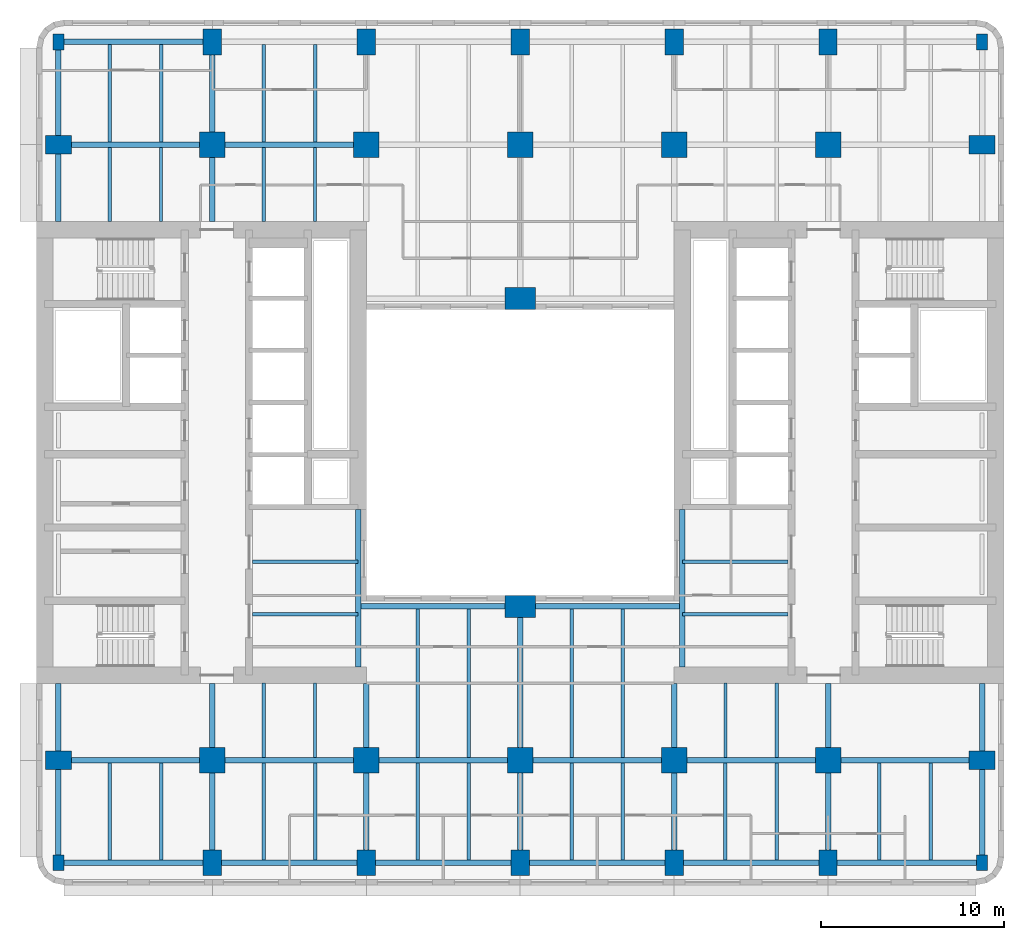
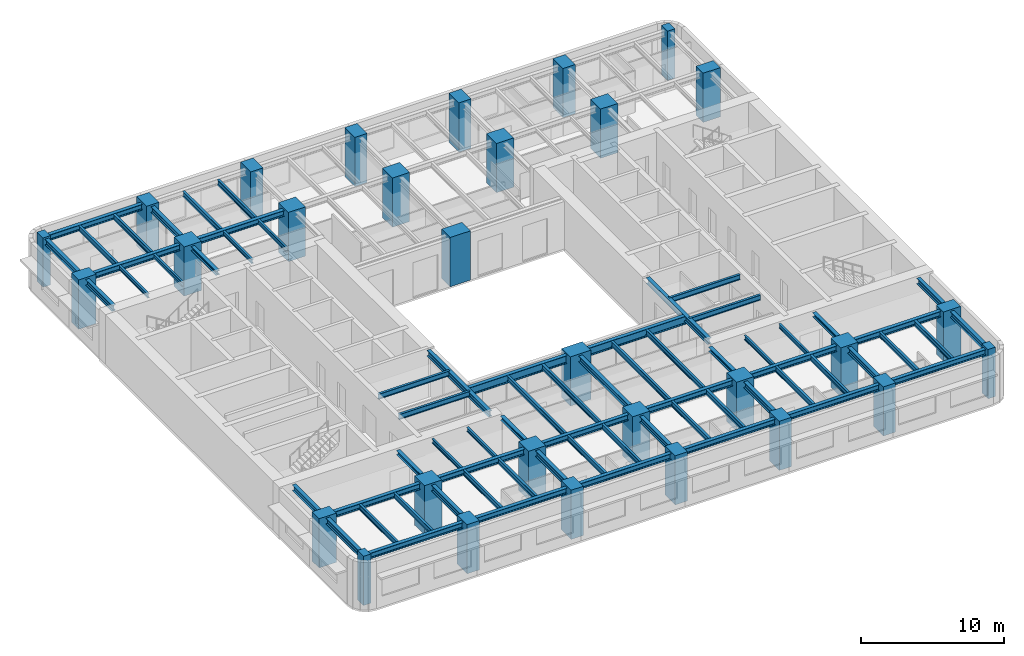
# One storey, part 1 of 11: 69 beams, 30 columns.
"""IFC4 building model written with IfcOpenShell, lengths in metres."""

from ifc_helpers import new_model, si_unit, direction, frame, origin, origin_2d, place, context, subcontext, project, spatial, rectangle, i_section, extrude, material, material_profile, profile_set, type_object, element, save


model = new_model("IFC4")

# Units and contexts
model_context = context("Model", 3, precision=1e-05, world=origin(), true_north=direction((0.0, 1.0)))
body_context = subcontext(model_context, "Body", "Model", "MODEL_VIEW")
ifc_project = project(units=[si_unit("LENGTHUNIT", "METRE"), si_unit("AREAUNIT", "SQUARE_METRE"), si_unit("VOLUMEUNIT", "CUBIC_METRE"), si_unit("PLANEANGLEUNIT", "RADIAN"), si_unit("MASSUNIT", "GRAM", prefix="KILO")], contexts=[model_context])

# Site, building, storey
site_placement = place(None, origin())
site = spatial("IfcSite", under=ifc_project, at=site_placement, CompositionType="ELEMENT")
building_placement = place(site_placement, origin())
building = spatial("IfcBuilding", under=site, at=building_placement, Name="Claustro Exchange Tower", CompositionType="ELEMENT")
storey_placement = place(building_placement, frame((0.0, 0.0, 138.60009765625)))
storey = spatial("IfcBuildingStorey", under=building, at=storey_placement, Name="L31", CompositionType="ELEMENT", Elevation=138.60009765625)

# Columns
ifc_material_1 = material(Name="Concrete HA-70 (C70/85)", Category="concrete")
ifc_material_profile_1 = material_profile(ifc_material_1, rectangle(XDim=1.39990234375, YDim=1.39990234375, at=origin_2d()), Name="RC 1400x1400")
ifc_profile_set_1 = profile_set([ifc_material_profile_1], Name="Concrete HA-70 (C70/85)")
column_type_1 = type_object("IfcColumnType", Name="C0 RC 1400x1400 HA-70 column", PredefinedType="COLUMN", material=ifc_profile_set_1)
for number, where, z_axis, x_axis, name in (
    (1, (8.39990234375, 8.39990234375, 0.0), (0.0, 0.0, 1.0), (1.0, 0.0, 0.0), "Column C0 2/B L31"),
    (2, (8.39990234375, 42.0, 0.0), (0.0, 0.0, 1.0), (1.0, 0.0, 0.0), "Column C0 2/F L31"),
    (3, (16.800048828125, 8.39990234375, 0.0), (0.0, 0.0, 1.0), (1.0, 0.0, 0.0), "Column C0 3/B L31"),
    (4, (16.800048828125, 42.0, 0.0), (0.0, 0.0, 1.0), (1.0, 0.0, 0.0), "Column C0 3/F L31"),
    (5, (25.199951171875, 8.39990234375, 0.0), (0.0, 0.0, 1.0), (1.0, 0.0, 0.0), "Column C0 4/B L31"),
    (6, (25.199951171875, 42.0, 0.0), (0.0, 0.0, 1.0), (1.0, 0.0, 0.0), "Column C0 4/F L31"),
    (7, (33.60009765625, 8.39990234375, 0.0), (0.0, 0.0, 1.0), (1.0, 0.0, 0.0), "Column C0 5/B L31"),
    (8, (33.60009765625, 42.0, 0.0), (0.0, 0.0, 1.0), (1.0, 0.0, 0.0), "Column C0 5/F L31"),
    (9, (42.0, 8.39990234375, 0.0), (0.0, 0.0, 1.0), (1.0, 0.0, 0.0), "Column C0 6/B L31"),
    (10, (42.0, 42.0, 0.0), (0.0, 0.0, 1.0), (1.0, 0.0, 0.0), "Column C0 6/F L31"),
):
    element("IfcColumn", number, at=place(storey_placement, frame(where, z_axis=z_axis, x_axis=x_axis)), inside=storey, type_object=column_type_1, Name=name, PredefinedType="COLUMN", context=body_context, shape_type="SweptSolid", body=[
        extrude(rectangle(XDim=1.39990234375, YDim=1.39990234375, at=origin_2d()), origin(), (0.0, 0.0, 1.0), 4.199951171875),
    ])
ifc_material_2 = material(Name="Concrete HA-70 (C70/85)", Category="concrete")
ifc_material_profile_2 = material_profile(ifc_material_2, rectangle(XDim=1.0, YDim=1.39990234375, at=origin_2d()), Name="RC 1000x1400")
ifc_profile_set_2 = profile_set([ifc_material_profile_2], Name="Concrete HA-70 (C70/85)")
column_type_2 = type_object("IfcColumnType", Name="C22 RC 1000x1400 HA-70 perimeter column", PredefinedType="COLUMN", material=ifc_profile_set_2)
for number, where, z_axis, x_axis, name in (
    (11, (0.0, 8.39990234375, 0.0), (0.0, 0.0, 1.0), (0.0, 1.0, 0.0), "Column C22 1/B L31"),
    (12, (0.0, 42.0, 0.0), (0.0, 0.0, 1.0), (0.0, 1.0, 0.0), "Column C22 1/F L31"),
    (13, (8.39990234375, 2.800048828125, 0.0), (0.0, 0.0, 1.0), (1.0, 0.0, 0.0), "Column C22 2/A+2800 L31"),
    (14, (8.39990234375, 47.60009765625, 0.0), (0.0, 0.0, 1.0), (1.0, 0.0, 0.0), "Column C22 2/F+5600 L31"),
    (15, (16.800048828125, 2.800048828125, 0.0), (0.0, 0.0, 1.0), (1.0, 0.0, 0.0), "Column C22 3/A+2800 L31"),
    (16, (16.800048828125, 47.60009765625, 0.0), (0.0, 0.0, 1.0), (1.0, 0.0, 0.0), "Column C22 3/F+5600 L31"),
    (17, (25.199951171875, 2.800048828125, 0.0), (0.0, 0.0, 1.0), (1.0, 0.0, 0.0), "Column C22 4/A+2800 L31"),
    (18, (25.199951171875, 47.60009765625, 0.0), (0.0, 0.0, 1.0), (1.0, 0.0, 0.0), "Column C22 4/F+5600 L31"),
    (19, (33.60009765625, 2.800048828125, 0.0), (0.0, 0.0, 1.0), (1.0, 0.0, 0.0), "Column C22 5/A+2800 L31"),
    (20, (33.60009765625, 47.60009765625, 0.0), (0.0, 0.0, 1.0), (1.0, 0.0, 0.0), "Column C22 5/F+5600 L31"),
    (21, (42.0, 2.800048828125, 0.0), (0.0, 0.0, 1.0), (1.0, 0.0, 0.0), "Column C22 6/A+2800 L31"),
    (22, (42.0, 47.60009765625, 0.0), (0.0, 0.0, 1.0), (1.0, 0.0, 0.0), "Column C22 6/F+5600 L31"),
    (23, (50.39990234375, 8.39990234375, 0.0), (0.0, 0.0, 1.0), (0.0, 1.0, 0.0), "Column C22 7/B L31"),
    (24, (50.39990234375, 42.0, 0.0), (0.0, 0.0, 1.0), (0.0, 1.0, 0.0), "Column C22 7/F L31"),
):
    element("IfcColumn", number, at=place(storey_placement, frame(where, z_axis=z_axis, x_axis=x_axis)), inside=storey, type_object=column_type_2, Name=name, PredefinedType="COLUMN", context=body_context, shape_type="SweptSolid", body=[
        extrude(rectangle(XDim=1.0, YDim=1.39990234375, at=origin_2d()), origin(), (0.0, 0.0, 1.0), 4.199951171875),
    ])
ifc_material_3 = material(Name="Concrete HA-50 (C50/60)", Category="concrete")
ifc_material_profile_3 = material_profile(ifc_material_3, rectangle(XDim=0.60009765625, YDim=0.85009765625, at=origin_2d()), Name="RC 600x850")
ifc_profile_set_3 = profile_set([ifc_material_profile_3], Name="Concrete HA-50 (C50/60)")
column_type_3 = type_object("IfcColumnType", Name="C25 RC 600x850 HA-50 corner column", PredefinedType="COLUMN", material=ifc_profile_set_3)
for number, where, z_axis, x_axis, name in (
    (25, (0.0, 2.800048828125, 0.0), (0.0, 0.0, 1.0), (1.0, 0.0, 0.0), "Column C25 1/A+2800 L31"),
    (26, (0.0, 47.60009765625, 0.0), (0.0, 0.0, 1.0), (1.0, 0.0, 0.0), "Column C25 1/F+5600 L31"),
    (27, (50.39990234375, 2.800048828125, 0.0), (0.0, 0.0, 1.0), (1.0, 0.0, 0.0), "Column C25 7/A+2800 L31"),
    (28, (50.39990234375, 47.60009765625, 0.0), (0.0, 0.0, 1.0), (1.0, 0.0, 0.0), "Column C25 7/F+5600 L31"),
):
    element("IfcColumn", number, at=place(storey_placement, frame(where, z_axis=z_axis, x_axis=x_axis)), inside=storey, type_object=column_type_3, Name=name, PredefinedType="COLUMN", context=body_context, shape_type="SweptSolid", body=[
        extrude(rectangle(XDim=0.60009765625, YDim=0.85009765625, at=origin_2d()), origin(), (0.0, 0.0, 1.0), 4.199951171875),
    ])
ifc_material_4 = material(Name="Concrete HA-70 (C70/85)", Category="concrete")
ifc_material_profile_4 = material_profile(ifc_material_4, rectangle(XDim=1.64990234375, YDim=1.199951171875, at=origin_2d()), Name="RC 1650x1200")
ifc_profile_set_4 = profile_set([ifc_material_profile_4], Name="Concrete HA-70 (C70/85)")
column_type_4 = type_object("IfcColumnType", Name="C32 RC 1650x1200 HA-70 light well column", PredefinedType="COLUMN", material=ifc_profile_set_4)
for number, where, z_axis, x_axis, name in (
    (29, (25.199951171875, 16.800048828125, 0.0), (0.0, 0.0, 1.0), (1.0, 0.0, 0.0), "Column C32 4/C L31"),
    (30, (25.199951171875, 33.60009765625, 0.0), (0.0, 0.0, 1.0), (1.0, 0.0, 0.0), "Column C32 4/E L31"),
):
    element("IfcColumn", number, at=place(storey_placement, frame(where, z_axis=z_axis, x_axis=x_axis)), inside=storey, type_object=column_type_4, Name=name, PredefinedType="COLUMN", context=body_context, shape_type="SweptSolid", body=[
        extrude(rectangle(XDim=1.64990234375, YDim=1.199951171875, at=origin_2d()), origin(), (0.0, 0.0, 1.0), 4.199951171875),
    ])

# Beams
ifc_material_5 = material(Name="Steel S355", Category="steel")
ifc_material_profile_5 = material_profile(ifc_material_5, i_section(OverallWidth=0.300048828125, OverallDepth=0.68994140625, WebThickness=0.014404296875, FlangeThickness=0.027099609375, FilletRadius=0.027099609375, at=origin_2d()), Name="HE 700 A")
ifc_profile_set_5 = profile_set([ifc_material_profile_5], Name="Steel S355")
beam_type_1 = type_object("IfcBeamType", Name="B13 HE 700 A light well edge girder", PredefinedType="BEAM", material=ifc_profile_set_5)
beam_1_placement = place(storey_placement, frame((16.35009765625, 16.800048828125, 3.704833984375), z_axis=(1.0, 0.0, 0.0), x_axis=(0.0, 1.0, 0.0)))
element("IfcBeam", 31, at=beam_1_placement, inside=storey, type_object=beam_type_1, Name="Beam B13 L32", PredefinedType="BEAM", context=body_context, shape_type="SweptSolid", body=[
    extrude(i_section(OverallWidth=0.300048828125, OverallDepth=0.68994140625, WebThickness=0.014404296875, FlangeThickness=0.027099609375, FilletRadius=0.027099609375, at=origin_2d()), origin(), (0.0, 0.0, 1.0), 8.849853515625),
])
beam_2_placement = place(storey_placement, frame((25.199951171875, 16.800048828125, 3.704833984375), z_axis=(1.0, 0.0, 0.0), x_axis=(0.0, 1.0, 0.0)))
element("IfcBeam", 32, at=beam_2_placement, inside=storey, type_object=beam_type_1, Name="Beam B13 L32", PredefinedType="BEAM", context=body_context, shape_type="SweptSolid", body=[
    extrude(i_section(OverallWidth=0.300048828125, OverallDepth=0.68994140625, WebThickness=0.014404296875, FlangeThickness=0.027099609375, FilletRadius=0.027099609375, at=origin_2d()), origin(), (0.0, 0.0, 1.0), 8.85009765625),
])
ifc_material_6 = material(Name="Steel S355", Category="steel")
ifc_material_profile_6 = material_profile(ifc_material_6, i_section(OverallWidth=0.169921875, OverallDepth=0.360107421875, WebThickness=0.008056640625, FlangeThickness=0.0126953125, FilletRadius=0.01806640625, at=origin_2d()), Name="IPE 360")
ifc_profile_set_6 = profile_set([ifc_material_profile_6], Name="Steel S355")
beam_type_2 = type_object("IfcBeamType", Name="B16 IPE 360 short-span beam", PredefinedType="BEAM", material=ifc_profile_set_6)
for number, where, z_axis, x_axis, name in (
    (33, (2.800048828125, 37.7900390625, 3.869873046875), (0.0, 1.0, 0.0), (-1.0, 0.0, 0.0), "Beam B16 L32"),
    (34, (5.60009765625, 37.7900390625, 3.869873046875), (0.0, 1.0, 0.0), (-1.0, 0.0, 0.0), "Beam B16 L32"),
    (35, (11.199951171875, 8.550048828125, 3.869873046875), (0.0, 1.0, 0.0), (-1.0, 0.0, 0.0), "Beam B16 L32"),
    (36, (14.0, 8.550048828125, 3.869873046875), (0.0, 1.0, 0.0), (-1.0, 0.0, 0.0), "Beam B16 L32"),
    (37, (11.199951171875, 37.7900390625, 3.869873046875), (0.0, 1.0, 0.0), (-1.0, 0.0, 0.0), "Beam B16 L32"),
    (38, (14.0, 37.7900390625, 3.869873046875), (0.0, 1.0, 0.0), (-1.0, 0.0, 0.0), "Beam B16 L32"),
    (39, (36.39990234375, 8.550048828125, 3.869873046875), (0.0, 1.0, 0.0), (-1.0, 0.0, 0.0), "Beam B16 L32"),
    (40, (39.199951171875, 8.550048828125, 3.869873046875), (0.0, 1.0, 0.0), (-1.0, 0.0, 0.0), "Beam B16 L32"),
):
    element("IfcBeam", number, at=place(storey_placement, frame(where, z_axis=z_axis, x_axis=x_axis)), inside=storey, type_object=beam_type_2, Name=name, PredefinedType="BEAM", context=body_context, shape_type="SweptSolid", body=[
        extrude(i_section(OverallWidth=0.169921875, OverallDepth=0.360107421875, WebThickness=0.008056640625, FlangeThickness=0.0126953125, FilletRadius=0.01806640625, at=origin_2d()), origin(), (0.0, 0.0, 1.0), 4.06005859375),
    ])
ifc_material_7 = material(Name="Steel S355", Category="steel")
ifc_material_profile_7 = material_profile(ifc_material_7, i_section(OverallWidth=0.300048828125, OverallDepth=0.360107421875, WebThickness=0.012451171875, FlangeThickness=0.0224609375, FilletRadius=0.027099609375, at=origin_2d()), Name="HE 360 B")
ifc_profile_set_7 = profile_set([ifc_material_profile_7], Name="Steel S355")
beam_type_3 = type_object("IfcBeamType", Name="B29 HE 360 B column to core link beam", PredefinedType="BEAM", material=ifc_profile_set_7)
beam_3_placement = place(storey_placement, frame((8.39990234375, 8.39990234375, 3.869873046875), z_axis=(0.0, 1.0, 0.0), x_axis=(-1.0, 0.0, 0.0)))
element("IfcBeam", 41, at=beam_3_placement, inside=storey, type_object=beam_type_3, Name="Beam B29 L32", PredefinedType="BEAM", context=body_context, shape_type="SweptSolid", body=[
    extrude(i_section(OverallWidth=0.300048828125, OverallDepth=0.360107421875, WebThickness=0.012451171875, FlangeThickness=0.0224609375, FilletRadius=0.027099609375, at=origin_2d()), origin(), (0.0, 0.0, 1.0), 4.2001953125),
])
beam_4_placement = place(storey_placement, frame((8.39990234375, 37.800048828125, 3.869873046875), z_axis=(0.0, 1.0, 0.0), x_axis=(-1.0, 0.0, 0.0)))
element("IfcBeam", 42, at=beam_4_placement, inside=storey, type_object=beam_type_3, Name="Beam B29 L32", PredefinedType="BEAM", context=body_context, shape_type="SweptSolid", body=[
    extrude(i_section(OverallWidth=0.300048828125, OverallDepth=0.360107421875, WebThickness=0.012451171875, FlangeThickness=0.0224609375, FilletRadius=0.027099609375, at=origin_2d()), origin(), (0.0, 0.0, 1.0), 4.199951171875),
])
for number, where, z_axis, x_axis, name in (
    (43, (16.800048828125, 8.39990234375, 3.869873046875), (0.0, 1.0, 0.0), (-1.0, 0.0, 0.0), "Beam B29 L32"),
    (44, (33.60009765625, 8.39990234375, 3.869873046875), (0.0, 1.0, 0.0), (-1.0, 0.0, 0.0), "Beam B29 L32"),
    (45, (42.0, 8.39990234375, 3.869873046875), (0.0, 1.0, 0.0), (-1.0, 0.0, 0.0), "Beam B29 L32"),
):
    element("IfcBeam", number, at=place(storey_placement, frame(where, z_axis=z_axis, x_axis=x_axis)), inside=storey, type_object=beam_type_3, Name=name, PredefinedType="BEAM", context=body_context, shape_type="SweptSolid", body=[
        extrude(i_section(OverallWidth=0.300048828125, OverallDepth=0.360107421875, WebThickness=0.012451171875, FlangeThickness=0.0224609375, FilletRadius=0.027099609375, at=origin_2d()), origin(), (0.0, 0.0, 1.0), 4.2001953125),
    ])
ifc_material_8 = material(Name="Steel S355", Category="steel")
ifc_material_profile_8 = material_profile(ifc_material_8, i_section(OverallWidth=0.300048828125, OverallDepth=0.5, WebThickness=0.014404296875, FlangeThickness=0.028076171875, FilletRadius=0.027099609375, at=origin_2d()), Name="HE 500 B")
ifc_profile_set_8 = profile_set([ifc_material_profile_8], Name="Steel S355")
beam_type_4 = type_object("IfcBeamType", Name="B7 HE 500 B floor girder", PredefinedType="BEAM", material=ifc_profile_set_8)
beam_5_placement = place(storey_placement, frame((8.39990234375, 2.800048828125, 3.7998046875), z_axis=(0.0, 1.0, 0.0), x_axis=(-1.0, 0.0, 0.0)))
element("IfcBeam", 46, at=beam_5_placement, inside=storey, type_object=beam_type_4, Name="Beam B7 L32", PredefinedType="BEAM", context=body_context, shape_type="SweptSolid", body=[
    extrude(i_section(OverallWidth=0.300048828125, OverallDepth=0.5, WebThickness=0.014404296875, FlangeThickness=0.028076171875, FilletRadius=0.027099609375, at=origin_2d()), origin(), (0.0, 0.0, 1.0), 5.599853515625),
])
beam_6_placement = place(storey_placement, frame((8.39990234375, 42.0, 3.7998046875), z_axis=(0.0, 1.0, 0.0), x_axis=(-1.0, 0.0, 0.0)))
element("IfcBeam", 47, at=beam_6_placement, inside=storey, type_object=beam_type_4, Name="Beam B7 L32", PredefinedType="BEAM", context=body_context, shape_type="SweptSolid", body=[
    extrude(i_section(OverallWidth=0.300048828125, OverallDepth=0.5, WebThickness=0.014404296875, FlangeThickness=0.028076171875, FilletRadius=0.027099609375, at=origin_2d()), origin(), (0.0, 0.0, 1.0), 5.60009765625),
])
for number, where, z_axis, x_axis, name in (
    (48, (16.800048828125, 2.800048828125, 3.7998046875), (0.0, 1.0, 0.0), (-1.0, 0.0, 0.0), "Beam B7 L32"),
    (49, (25.199951171875, 2.800048828125, 3.7998046875), (0.0, 1.0, 0.0), (-1.0, 0.0, 0.0), "Beam B7 L32"),
):
    element("IfcBeam", number, at=place(storey_placement, frame(where, z_axis=z_axis, x_axis=x_axis)), inside=storey, type_object=beam_type_4, Name=name, PredefinedType="BEAM", context=body_context, shape_type="SweptSolid", body=[
        extrude(i_section(OverallWidth=0.300048828125, OverallDepth=0.5, WebThickness=0.014404296875, FlangeThickness=0.028076171875, FilletRadius=0.027099609375, at=origin_2d()), origin(), (0.0, 0.0, 1.0), 5.599853515625),
    ])
beam_7_placement = place(storey_placement, frame((25.199951171875, 8.39990234375, 3.7998046875), z_axis=(0.0, 1.0, 0.0), x_axis=(-1.0, 0.0, 0.0)))
element("IfcBeam", 50, at=beam_7_placement, inside=storey, type_object=beam_type_4, Name="Beam B7 L32", PredefinedType="BEAM", context=body_context, shape_type="SweptSolid", body=[
    extrude(i_section(OverallWidth=0.300048828125, OverallDepth=0.5, WebThickness=0.014404296875, FlangeThickness=0.028076171875, FilletRadius=0.027099609375, at=origin_2d()), origin(), (0.0, 0.0, 1.0), 8.400146484375),
])
for number, where, z_axis, x_axis, name in (
    (51, (33.60009765625, 2.800048828125, 3.7998046875), (0.0, 1.0, 0.0), (-1.0, 0.0, 0.0), "Beam B7 L32"),
    (52, (42.0, 2.800048828125, 3.7998046875), (0.0, 1.0, 0.0), (-1.0, 0.0, 0.0), "Beam B7 L32"),
):
    element("IfcBeam", number, at=place(storey_placement, frame(where, z_axis=z_axis, x_axis=x_axis)), inside=storey, type_object=beam_type_4, Name=name, PredefinedType="BEAM", context=body_context, shape_type="SweptSolid", body=[
        extrude(i_section(OverallWidth=0.300048828125, OverallDepth=0.5, WebThickness=0.014404296875, FlangeThickness=0.028076171875, FilletRadius=0.027099609375, at=origin_2d()), origin(), (0.0, 0.0, 1.0), 5.599853515625),
    ])
beam_8_placement = place(storey_placement, frame((0.0, 8.39990234375, 3.7998046875), z_axis=(1.0, 0.0, 0.0), x_axis=(0.0, 1.0, 0.0)))
element("IfcBeam", 53, at=beam_8_placement, inside=storey, type_object=beam_type_4, Name="Beam B7 L32", PredefinedType="BEAM", context=body_context, shape_type="SweptSolid", body=[
    extrude(i_section(OverallWidth=0.300048828125, OverallDepth=0.5, WebThickness=0.014404296875, FlangeThickness=0.028076171875, FilletRadius=0.027099609375, at=origin_2d()), origin(), (0.0, 0.0, 1.0), 8.39990234375),
])
beam_9_placement = place(storey_placement, frame((8.39990234375, 8.39990234375, 3.7998046875), z_axis=(1.0, 0.0, 0.0), x_axis=(0.0, 1.0, 0.0)))
element("IfcBeam", 54, at=beam_9_placement, inside=storey, type_object=beam_type_4, Name="Beam B7 L32", PredefinedType="BEAM", context=body_context, shape_type="SweptSolid", body=[
    extrude(i_section(OverallWidth=0.300048828125, OverallDepth=0.5, WebThickness=0.014404296875, FlangeThickness=0.028076171875, FilletRadius=0.027099609375, at=origin_2d()), origin(), (0.0, 0.0, 1.0), 8.400146484375),
])
beam_10_placement = place(storey_placement, frame((16.800048828125, 8.39990234375, 3.7998046875), z_axis=(1.0, 0.0, 0.0), x_axis=(0.0, 1.0, 0.0)))
element("IfcBeam", 55, at=beam_10_placement, inside=storey, type_object=beam_type_4, Name="Beam B7 L32", PredefinedType="BEAM", context=body_context, shape_type="SweptSolid", body=[
    extrude(i_section(OverallWidth=0.300048828125, OverallDepth=0.5, WebThickness=0.014404296875, FlangeThickness=0.028076171875, FilletRadius=0.027099609375, at=origin_2d()), origin(), (0.0, 0.0, 1.0), 8.39990234375),
])
beam_11_placement = place(storey_placement, frame((25.199951171875, 8.39990234375, 3.7998046875), z_axis=(1.0, 0.0, 0.0), x_axis=(0.0, 1.0, 0.0)))
element("IfcBeam", 56, at=beam_11_placement, inside=storey, type_object=beam_type_4, Name="Beam B7 L32", PredefinedType="BEAM", context=body_context, shape_type="SweptSolid", body=[
    extrude(i_section(OverallWidth=0.300048828125, OverallDepth=0.5, WebThickness=0.014404296875, FlangeThickness=0.028076171875, FilletRadius=0.027099609375, at=origin_2d()), origin(), (0.0, 0.0, 1.0), 8.400146484375),
])
for number, where, z_axis, x_axis, name in (
    (57, (33.60009765625, 8.39990234375, 3.7998046875), (1.0, 0.0, 0.0), (0.0, 1.0, 0.0), "Beam B7 L32"),
    (58, (42.0, 8.39990234375, 3.7998046875), (1.0, 0.0, 0.0), (0.0, 1.0, 0.0), "Beam B7 L32"),
    (59, (0.0, 42.0, 3.7998046875), (1.0, 0.0, 0.0), (0.0, 1.0, 0.0), "Beam B7 L32"),
):
    element("IfcBeam", number, at=place(storey_placement, frame(where, z_axis=z_axis, x_axis=x_axis)), inside=storey, type_object=beam_type_4, Name=name, PredefinedType="BEAM", context=body_context, shape_type="SweptSolid", body=[
        extrude(i_section(OverallWidth=0.300048828125, OverallDepth=0.5, WebThickness=0.014404296875, FlangeThickness=0.028076171875, FilletRadius=0.027099609375, at=origin_2d()), origin(), (0.0, 0.0, 1.0), 8.39990234375),
    ])
beam_12_placement = place(storey_placement, frame((8.39990234375, 42.0, 3.7998046875), z_axis=(1.0, 0.0, 0.0), x_axis=(0.0, 1.0, 0.0)))
element("IfcBeam", 60, at=beam_12_placement, inside=storey, type_object=beam_type_4, Name="Beam B7 L32", PredefinedType="BEAM", context=body_context, shape_type="SweptSolid", body=[
    extrude(i_section(OverallWidth=0.300048828125, OverallDepth=0.5, WebThickness=0.014404296875, FlangeThickness=0.028076171875, FilletRadius=0.027099609375, at=origin_2d()), origin(), (0.0, 0.0, 1.0), 8.400146484375),
])
for number, where, z_axis, x_axis, name in (
    (61, (16.35009765625, 13.5, 3.7998046875), (0.0, 1.0, 0.0), (-1.0, 0.0, 0.0), "Beam B7 core step framing L32"),
    (62, (34.050048828125, 13.5, 3.7998046875), (0.0, 1.0, 0.0), (-1.0, 0.0, 0.0), "Beam B7 core step framing L32"),
):
    element("IfcBeam", number, at=place(storey_placement, frame(where, z_axis=z_axis, x_axis=x_axis)), inside=storey, type_object=beam_type_4, Name=name, PredefinedType="BEAM", context=body_context, shape_type="SweptSolid", body=[
        extrude(i_section(OverallWidth=0.300048828125, OverallDepth=0.5, WebThickness=0.014404296875, FlangeThickness=0.028076171875, FilletRadius=0.027099609375, at=origin_2d()), origin(), (0.0, 0.0, 1.0), 8.60009765625),
    ])
ifc_material_9 = material(Name="Steel S355", Category="steel")
ifc_material_profile_9 = material_profile(ifc_material_9, i_section(OverallWidth=0.18994140625, OverallDepth=0.449951171875, WebThickness=0.009521484375, FlangeThickness=0.0146484375, FilletRadius=0.02099609375, at=origin_2d()), Name="IPE 450")
ifc_profile_set_9 = profile_set([ifc_material_profile_9], Name="Steel S355")
beam_type_5 = type_object("IfcBeamType", Name="B8 IPE 450 secondary beam", PredefinedType="BEAM", material=ifc_profile_set_9)
for number, where, z_axis, x_axis, name in (
    (63, (2.800048828125, 2.949951171875, 3.824951171875), (0.0, 1.0, 0.0), (-1.0, 0.0, 0.0), "Beam B8 L32"),
    (64, (5.60009765625, 2.949951171875, 3.824951171875), (0.0, 1.0, 0.0), (-1.0, 0.0, 0.0), "Beam B8 L32"),
    (65, (2.800048828125, 42.14990234375, 3.824951171875), (0.0, 1.0, 0.0), (-1.0, 0.0, 0.0), "Beam B8 L32"),
    (66, (5.60009765625, 42.14990234375, 3.824951171875), (0.0, 1.0, 0.0), (-1.0, 0.0, 0.0), "Beam B8 L32"),
    (67, (11.199951171875, 2.949951171875, 3.824951171875), (0.0, 1.0, 0.0), (-1.0, 0.0, 0.0), "Beam B8 L32"),
    (68, (14.0, 2.949951171875, 3.824951171875), (0.0, 1.0, 0.0), (-1.0, 0.0, 0.0), "Beam B8 L32"),
    (69, (11.199951171875, 42.14990234375, 3.824951171875), (0.0, 1.0, 0.0), (-1.0, 0.0, 0.0), "Beam B8 L32"),
    (70, (14.0, 42.14990234375, 3.824951171875), (0.0, 1.0, 0.0), (-1.0, 0.0, 0.0), "Beam B8 L32"),
    (71, (19.60009765625, 2.949951171875, 3.824951171875), (0.0, 1.0, 0.0), (-1.0, 0.0, 0.0), "Beam B8 L32"),
    (72, (22.39990234375, 2.949951171875, 3.824951171875), (0.0, 1.0, 0.0), (-1.0, 0.0, 0.0), "Beam B8 L32"),
):
    element("IfcBeam", number, at=place(storey_placement, frame(where, z_axis=z_axis, x_axis=x_axis)), inside=storey, type_object=beam_type_5, Name=name, PredefinedType="BEAM", context=body_context, shape_type="SweptSolid", body=[
        extrude(i_section(OverallWidth=0.18994140625, OverallDepth=0.449951171875, WebThickness=0.009521484375, FlangeThickness=0.0146484375, FilletRadius=0.02099609375, at=origin_2d()), origin(), (0.0, 0.0, 1.0), 5.300048828125),
    ])
for number, where, z_axis, x_axis, name in (
    (73, (19.60009765625, 8.550048828125, 3.824951171875), (0.0, 1.0, 0.0), (-1.0, 0.0, 0.0), "Beam B8 L32"),
    (74, (22.39990234375, 8.550048828125, 3.824951171875), (0.0, 1.0, 0.0), (-1.0, 0.0, 0.0), "Beam B8 L32"),
):
    element("IfcBeam", number, at=place(storey_placement, frame(where, z_axis=z_axis, x_axis=x_axis)), inside=storey, type_object=beam_type_5, Name=name, PredefinedType="BEAM", context=body_context, shape_type="SweptSolid", body=[
        extrude(i_section(OverallWidth=0.18994140625, OverallDepth=0.449951171875, WebThickness=0.009521484375, FlangeThickness=0.0146484375, FilletRadius=0.02099609375, at=origin_2d()), origin(), (0.0, 0.0, 1.0), 8.099853515625),
    ])
for number, where, z_axis, x_axis, name in (
    (75, (28.0, 2.949951171875, 3.824951171875), (0.0, 1.0, 0.0), (-1.0, 0.0, 0.0), "Beam B8 L32"),
    (76, (30.800048828125, 2.949951171875, 3.824951171875), (0.0, 1.0, 0.0), (-1.0, 0.0, 0.0), "Beam B8 L32"),
):
    element("IfcBeam", number, at=place(storey_placement, frame(where, z_axis=z_axis, x_axis=x_axis)), inside=storey, type_object=beam_type_5, Name=name, PredefinedType="BEAM", context=body_context, shape_type="SweptSolid", body=[
        extrude(i_section(OverallWidth=0.18994140625, OverallDepth=0.449951171875, WebThickness=0.009521484375, FlangeThickness=0.0146484375, FilletRadius=0.02099609375, at=origin_2d()), origin(), (0.0, 0.0, 1.0), 5.300048828125),
    ])
for number, where, z_axis, x_axis, name in (
    (77, (28.0, 8.550048828125, 3.824951171875), (0.0, 1.0, 0.0), (-1.0, 0.0, 0.0), "Beam B8 L32"),
    (78, (30.800048828125, 8.550048828125, 3.824951171875), (0.0, 1.0, 0.0), (-1.0, 0.0, 0.0), "Beam B8 L32"),
):
    element("IfcBeam", number, at=place(storey_placement, frame(where, z_axis=z_axis, x_axis=x_axis)), inside=storey, type_object=beam_type_5, Name=name, PredefinedType="BEAM", context=body_context, shape_type="SweptSolid", body=[
        extrude(i_section(OverallWidth=0.18994140625, OverallDepth=0.449951171875, WebThickness=0.009521484375, FlangeThickness=0.0146484375, FilletRadius=0.02099609375, at=origin_2d()), origin(), (0.0, 0.0, 1.0), 8.099853515625),
    ])
for number, where, z_axis, x_axis, name in (
    (79, (36.39990234375, 2.949951171875, 3.824951171875), (0.0, 1.0, 0.0), (-1.0, 0.0, 0.0), "Beam B8 L32"),
    (80, (39.199951171875, 2.949951171875, 3.824951171875), (0.0, 1.0, 0.0), (-1.0, 0.0, 0.0), "Beam B8 L32"),
    (81, (44.800048828125, 2.949951171875, 3.824951171875), (0.0, 1.0, 0.0), (-1.0, 0.0, 0.0), "Beam B8 L32"),
    (82, (47.60009765625, 2.949951171875, 3.824951171875), (0.0, 1.0, 0.0), (-1.0, 0.0, 0.0), "Beam B8 L32"),
):
    element("IfcBeam", number, at=place(storey_placement, frame(where, z_axis=z_axis, x_axis=x_axis)), inside=storey, type_object=beam_type_5, Name=name, PredefinedType="BEAM", context=body_context, shape_type="SweptSolid", body=[
        extrude(i_section(OverallWidth=0.18994140625, OverallDepth=0.449951171875, WebThickness=0.009521484375, FlangeThickness=0.0146484375, FilletRadius=0.02099609375, at=origin_2d()), origin(), (0.0, 0.0, 1.0), 5.300048828125),
    ])
for number, where, z_axis, x_axis, name in (
    (83, (10.60009765625, 16.36669921875, 3.824951171875), (1.0, 0.0, 0.0), (0.0, 1.0, 0.0), "Beam B8 core step framing L32"),
    (84, (10.60009765625, 19.2333984375, 3.824951171875), (1.0, 0.0, 0.0), (0.0, 1.0, 0.0), "Beam B8 core step framing L32"),
    (85, (34.050048828125, 16.36669921875, 3.824951171875), (1.0, 0.0, 0.0), (0.0, 1.0, 0.0), "Beam B8 core step framing L32"),
    (86, (34.050048828125, 19.2333984375, 3.824951171875), (1.0, 0.0, 0.0), (0.0, 1.0, 0.0), "Beam B8 core step framing L32"),
):
    element("IfcBeam", number, at=place(storey_placement, frame(where, z_axis=z_axis, x_axis=x_axis)), inside=storey, type_object=beam_type_5, Name=name, PredefinedType="BEAM", context=body_context, shape_type="SweptSolid", body=[
        extrude(i_section(OverallWidth=0.18994140625, OverallDepth=0.449951171875, WebThickness=0.009521484375, FlangeThickness=0.0146484375, FilletRadius=0.02099609375, at=origin_2d()), origin(), (0.0, 0.0, 1.0), 5.75),
    ])
ifc_material_10 = material(Name="Steel S355", Category="steel")
ifc_material_profile_10 = material_profile(ifc_material_10, i_section(OverallWidth=0.300048828125, OverallDepth=0.489990234375, WebThickness=0.011962890625, FlangeThickness=0.02294921875, FilletRadius=0.027099609375, at=origin_2d()), Name="HE 500 A")
ifc_profile_set_10 = profile_set([ifc_material_profile_10], Name="Steel S355")
beam_type_6 = type_object("IfcBeamType", Name="B9 HE 500 A spandrel edge girder", PredefinedType="SPANDREL", material=ifc_profile_set_10)
beam_13_placement = place(storey_placement, frame((0.0, 2.800048828125, 3.804931640625), z_axis=(0.0, 1.0, 0.0), x_axis=(-1.0, 0.0, 0.0)))
element("IfcBeam", 87, at=beam_13_placement, inside=storey, type_object=beam_type_6, Name="Beam B9 L32", PredefinedType="SPANDREL", context=body_context, shape_type="SweptSolid", body=[
    extrude(i_section(OverallWidth=0.300048828125, OverallDepth=0.489990234375, WebThickness=0.011962890625, FlangeThickness=0.02294921875, FilletRadius=0.027099609375, at=origin_2d()), origin(), (0.0, 0.0, 1.0), 5.599853515625),
])
beam_14_placement = place(storey_placement, frame((0.0, 8.39990234375, 3.804931640625), z_axis=(0.0, 1.0, 0.0), x_axis=(-1.0, 0.0, 0.0)))
element("IfcBeam", 88, at=beam_14_placement, inside=storey, type_object=beam_type_6, Name="Beam B9 L32", PredefinedType="SPANDREL", context=body_context, shape_type="SweptSolid", body=[
    extrude(i_section(OverallWidth=0.300048828125, OverallDepth=0.489990234375, WebThickness=0.011962890625, FlangeThickness=0.02294921875, FilletRadius=0.027099609375, at=origin_2d()), origin(), (0.0, 0.0, 1.0), 4.2001953125),
])
beam_15_placement = place(storey_placement, frame((0.0, 37.800048828125, 3.804931640625), z_axis=(0.0, 1.0, 0.0), x_axis=(-1.0, 0.0, 0.0)))
element("IfcBeam", 89, at=beam_15_placement, inside=storey, type_object=beam_type_6, Name="Beam B9 L32", PredefinedType="SPANDREL", context=body_context, shape_type="SweptSolid", body=[
    extrude(i_section(OverallWidth=0.300048828125, OverallDepth=0.489990234375, WebThickness=0.011962890625, FlangeThickness=0.02294921875, FilletRadius=0.027099609375, at=origin_2d()), origin(), (0.0, 0.0, 1.0), 4.199951171875),
])
beam_16_placement = place(storey_placement, frame((0.0, 42.0, 3.804931640625), z_axis=(0.0, 1.0, 0.0), x_axis=(-1.0, 0.0, 0.0)))
element("IfcBeam", 90, at=beam_16_placement, inside=storey, type_object=beam_type_6, Name="Beam B9 L32", PredefinedType="SPANDREL", context=body_context, shape_type="SweptSolid", body=[
    extrude(i_section(OverallWidth=0.300048828125, OverallDepth=0.489990234375, WebThickness=0.011962890625, FlangeThickness=0.02294921875, FilletRadius=0.027099609375, at=origin_2d()), origin(), (0.0, 0.0, 1.0), 5.60009765625),
])
beam_17_placement = place(storey_placement, frame((50.39990234375, 2.800048828125, 3.804931640625), z_axis=(0.0, 1.0, 0.0), x_axis=(-1.0, 0.0, 0.0)))
element("IfcBeam", 91, at=beam_17_placement, inside=storey, type_object=beam_type_6, Name="Beam B9 L32", PredefinedType="SPANDREL", context=body_context, shape_type="SweptSolid", body=[
    extrude(i_section(OverallWidth=0.300048828125, OverallDepth=0.489990234375, WebThickness=0.011962890625, FlangeThickness=0.02294921875, FilletRadius=0.027099609375, at=origin_2d()), origin(), (0.0, 0.0, 1.0), 5.599853515625),
])
beam_18_placement = place(storey_placement, frame((50.39990234375, 8.39990234375, 3.804931640625), z_axis=(0.0, 1.0, 0.0), x_axis=(-1.0, 0.0, 0.0)))
element("IfcBeam", 92, at=beam_18_placement, inside=storey, type_object=beam_type_6, Name="Beam B9 L32", PredefinedType="SPANDREL", context=body_context, shape_type="SweptSolid", body=[
    extrude(i_section(OverallWidth=0.300048828125, OverallDepth=0.489990234375, WebThickness=0.011962890625, FlangeThickness=0.02294921875, FilletRadius=0.027099609375, at=origin_2d()), origin(), (0.0, 0.0, 1.0), 4.2001953125),
])
beam_19_placement = place(storey_placement, frame((0.0, 2.800048828125, 3.804931640625), z_axis=(1.0, 0.0, 0.0), x_axis=(0.0, 1.0, 0.0)))
element("IfcBeam", 93, at=beam_19_placement, inside=storey, type_object=beam_type_6, Name="Beam B9 L32", PredefinedType="SPANDREL", context=body_context, shape_type="SweptSolid", body=[
    extrude(i_section(OverallWidth=0.300048828125, OverallDepth=0.489990234375, WebThickness=0.011962890625, FlangeThickness=0.02294921875, FilletRadius=0.027099609375, at=origin_2d()), origin(), (0.0, 0.0, 1.0), 8.39990234375),
])
beam_20_placement = place(storey_placement, frame((8.39990234375, 2.800048828125, 3.804931640625), z_axis=(1.0, 0.0, 0.0), x_axis=(0.0, 1.0, 0.0)))
element("IfcBeam", 94, at=beam_20_placement, inside=storey, type_object=beam_type_6, Name="Beam B9 L32", PredefinedType="SPANDREL", context=body_context, shape_type="SweptSolid", body=[
    extrude(i_section(OverallWidth=0.300048828125, OverallDepth=0.489990234375, WebThickness=0.011962890625, FlangeThickness=0.02294921875, FilletRadius=0.027099609375, at=origin_2d()), origin(), (0.0, 0.0, 1.0), 8.400146484375),
])
beam_21_placement = place(storey_placement, frame((16.800048828125, 2.800048828125, 3.804931640625), z_axis=(1.0, 0.0, 0.0), x_axis=(0.0, 1.0, 0.0)))
element("IfcBeam", 95, at=beam_21_placement, inside=storey, type_object=beam_type_6, Name="Beam B9 L32", PredefinedType="SPANDREL", context=body_context, shape_type="SweptSolid", body=[
    extrude(i_section(OverallWidth=0.300048828125, OverallDepth=0.489990234375, WebThickness=0.011962890625, FlangeThickness=0.02294921875, FilletRadius=0.027099609375, at=origin_2d()), origin(), (0.0, 0.0, 1.0), 8.39990234375),
])
beam_22_placement = place(storey_placement, frame((25.199951171875, 2.800048828125, 3.804931640625), z_axis=(1.0, 0.0, 0.0), x_axis=(0.0, 1.0, 0.0)))
element("IfcBeam", 96, at=beam_22_placement, inside=storey, type_object=beam_type_6, Name="Beam B9 L32", PredefinedType="SPANDREL", context=body_context, shape_type="SweptSolid", body=[
    extrude(i_section(OverallWidth=0.300048828125, OverallDepth=0.489990234375, WebThickness=0.011962890625, FlangeThickness=0.02294921875, FilletRadius=0.027099609375, at=origin_2d()), origin(), (0.0, 0.0, 1.0), 8.400146484375),
])
for number, where, z_axis, x_axis, name in (
    (97, (33.60009765625, 2.800048828125, 3.804931640625), (1.0, 0.0, 0.0), (0.0, 1.0, 0.0), "Beam B9 L32"),
    (98, (42.0, 2.800048828125, 3.804931640625), (1.0, 0.0, 0.0), (0.0, 1.0, 0.0), "Beam B9 L32"),
    (99, (0.0, 47.60009765625, 3.804931640625), (1.0, 0.0, 0.0), (0.0, 1.0, 0.0), "Beam B9 L32"),
):
    element("IfcBeam", number, at=place(storey_placement, frame(where, z_axis=z_axis, x_axis=x_axis)), inside=storey, type_object=beam_type_6, Name=name, PredefinedType="SPANDREL", context=body_context, shape_type="SweptSolid", body=[
        extrude(i_section(OverallWidth=0.300048828125, OverallDepth=0.489990234375, WebThickness=0.011962890625, FlangeThickness=0.02294921875, FilletRadius=0.027099609375, at=origin_2d()), origin(), (0.0, 0.0, 1.0), 8.39990234375),
    ])

save(model, "model.ifc")
